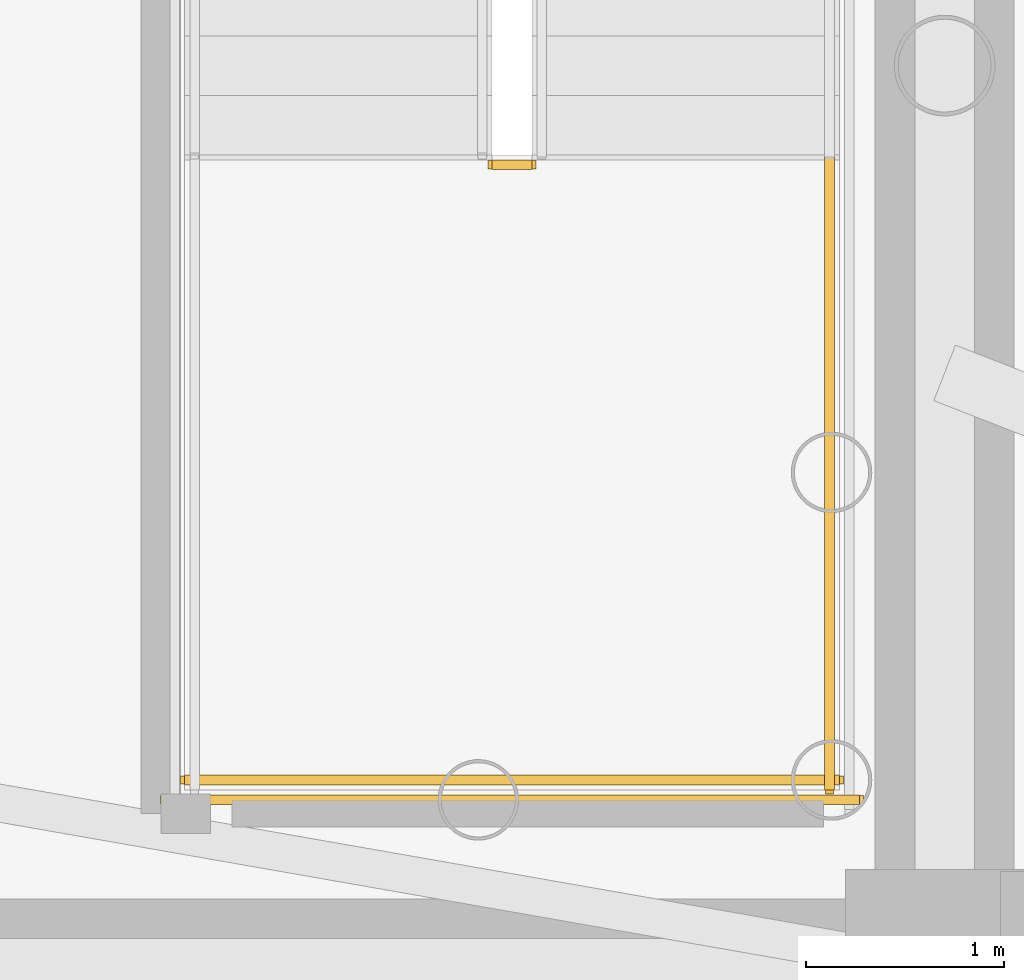
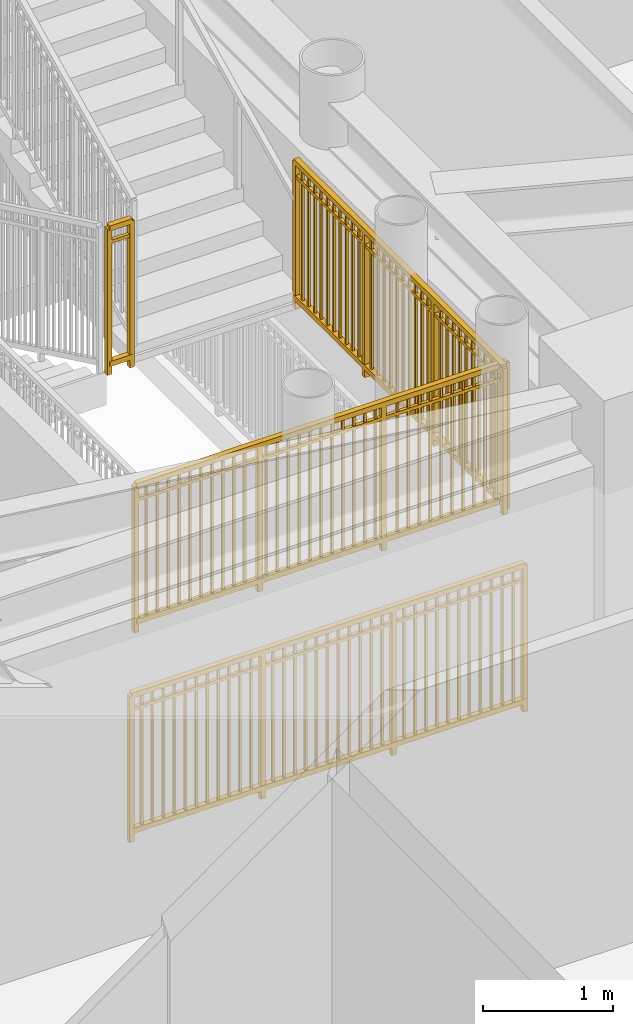
# One storey, part 12 of 17: 4 railings.
"""IFC4 building model written with IfcOpenShell, lengths in metres."""

from ifc_helpers import new_model, si_unit, direction, frame, origin, origin_2d, place, context, subcontext, project, spatial, rectangle, extrude, source, transform, mapped, material, type_object, element, save


model = new_model("IFC4")

# Units and contexts
model_context = context("Model", 3, precision=1e-05, world=origin(), true_north=direction((0.0, 1.0)))
body_context = subcontext(model_context, "Body", "Model", "MODEL_VIEW")
ifc_project = project(units=[si_unit("LENGTHUNIT", "METRE"), si_unit("AREAUNIT", "SQUARE_METRE"), si_unit("VOLUMEUNIT", "CUBIC_METRE"), si_unit("PLANEANGLEUNIT", "RADIAN"), si_unit("MASSUNIT", "GRAM", prefix="KILO")], contexts=[model_context])

# Site, building, storey
site_placement = place(None, origin())
site = spatial("IfcSite", under=ifc_project, at=site_placement, CompositionType="ELEMENT")
building_placement = place(site_placement, origin())
building = spatial("IfcBuilding", under=site, at=building_placement, Name="Linh Dai School and Residence Tower", CompositionType="ELEMENT")
storey_placement = place(building_placement, frame((0.0, 0.0, 280.5)))
storey = spatial("IfcBuildingStorey", under=building, at=storey_placement, Name="L69", CompositionType="ELEMENT", Elevation=280.5)

# Railings
ifc_material = material(Name="Structural Steel S355JR", Category="steel")
railing_type = type_object("IfcRailingType", Name="RL-ST-GUARD-1400", PredefinedType="GUARDRAIL", material=ifc_material)
shared_shape_1 = source(origin(), body_context, "Body", "SweptSolid", [
    extrude(rectangle(XDim=0.048095703125, YDim=0.048095703125, at=origin_2d()), frame((0.0, 0.0, 1.3759765625), z_axis=(1.0, 0.0, 0.0), x_axis=(0.0, 1.0, 0.0)), (0.0, 0.0, 1.0), 0.199951171875),
    extrude(rectangle(XDim=0.048095703125, YDim=0.048095703125, at=origin_2d()), frame((0.0, 0.0, 0.10009765625), z_axis=(1.0, 0.0, 0.0), x_axis=(0.0, 1.0, 0.0)), (0.0, 0.0, 1.0), 0.199951171875),
    extrude(rectangle(XDim=0.030029296875, YDim=0.030029296875, at=origin_2d()), frame((0.0, 0.0, 1.239990234375), z_axis=(1.0, 0.0, 0.0), x_axis=(0.0, 1.0, 0.0)), (0.0, 0.0, 1.0), 0.199951171875),
    extrude(rectangle(XDim=0.0419921875, YDim=0.0419921875, at=origin_2d()), origin(), (0.0, 0.0, 1.0), 1.3759765625),
    extrude(rectangle(XDim=0.0419921875, YDim=0.0419921875, at=origin_2d()), frame((0.199951171875, 0.0, 0.0)), (0.0, 0.0, 1.0), 1.3759765625),
])
railing_1_placement = place(storey_placement, frame((42.570068359375, 24.60009765625, 1.875)))
element("IfcRailing", 1, at=railing_1_placement, inside=storey, type_object=railing_type, Name="L69 ST2 stair guard 2", PredefinedType="GUARDRAIL", context=body_context, shape_type="MappedRepresentation", body=[
    mapped(shared_shape_1, transform((0.0, 0.0, 0.0), x_axis=(1.0, 0.0, 0.0), y_axis=(0.0, 1.0, 0.0), z_axis=(0.0, 0.0, 1.0), scale=1.0)),
])
shared_shape_2 = source(origin(), body_context, "Body", "SweptSolid", [
    extrude(rectangle(XDim=0.048095703125, YDim=0.048095703125, at=origin_2d()), frame((0.0, 0.0, 1.3759765625), z_axis=(1.0, 0.0, 0.0), x_axis=(0.0, 1.0, 0.0)), (0.0, 0.0, 1.0), 3.300048828125),
    extrude(rectangle(XDim=0.048095703125, YDim=0.048095703125, at=origin_2d()), frame((0.0, 0.0, 0.10009765625), z_axis=(1.0, 0.0, 0.0), x_axis=(0.0, 1.0, 0.0)), (0.0, 0.0, 1.0), 3.300048828125),
    extrude(rectangle(XDim=0.030029296875, YDim=0.030029296875, at=origin_2d()), frame((0.0, 0.0, 1.239990234375), z_axis=(1.0, 0.0, 0.0), x_axis=(0.0, 1.0, 0.0)), (0.0, 0.0, 1.0), 3.300048828125),
    extrude(rectangle(XDim=0.02001953125, YDim=0.02001953125, at=origin_2d()), frame((0.09716796875, 0.0, 0.10009765625)), (0.0, 0.0, 1.0), 1.251708984375),
    extrude(rectangle(XDim=0.02001953125, YDim=0.02001953125, at=origin_2d()), frame((0.194091796875, 0.0, 0.10009765625)), (0.0, 0.0, 1.0), 1.251708984375),
    extrude(rectangle(XDim=0.02001953125, YDim=0.02001953125, at=origin_2d()), frame((0.291259765625, 0.0, 0.10009765625)), (0.0, 0.0, 1.0), 1.251708984375),
    extrude(rectangle(XDim=0.02001953125, YDim=0.02001953125, at=origin_2d()), frame((0.38818359375, 0.0, 0.10009765625)), (0.0, 0.0, 1.0), 1.251708984375),
    extrude(rectangle(XDim=0.02001953125, YDim=0.02001953125, at=origin_2d()), frame((0.4853515625, 0.0, 0.10009765625)), (0.0, 0.0, 1.0), 1.251708984375),
    extrude(rectangle(XDim=0.02001953125, YDim=0.02001953125, at=origin_2d()), frame((0.582275390625, 0.0, 0.10009765625)), (0.0, 0.0, 1.0), 1.251708984375),
    extrude(rectangle(XDim=0.02001953125, YDim=0.02001953125, at=origin_2d()), frame((0.679443359375, 0.0, 0.10009765625)), (0.0, 0.0, 1.0), 1.251708984375),
    extrude(rectangle(XDim=0.02001953125, YDim=0.02001953125, at=origin_2d()), frame((0.7763671875, 0.0, 0.10009765625)), (0.0, 0.0, 1.0), 1.251708984375),
    extrude(rectangle(XDim=0.02001953125, YDim=0.02001953125, at=origin_2d()), frame((0.87353515625, 0.0, 0.10009765625)), (0.0, 0.0, 1.0), 1.251708984375),
    extrude(rectangle(XDim=0.02001953125, YDim=0.02001953125, at=origin_2d()), frame((0.970703125, 0.0, 0.10009765625)), (0.0, 0.0, 1.0), 1.251708984375),
    extrude(rectangle(XDim=0.02001953125, YDim=0.02001953125, at=origin_2d()), frame((1.164794921875, 0.0, 0.10009765625)), (0.0, 0.0, 1.0), 1.251708984375),
    extrude(rectangle(XDim=0.02001953125, YDim=0.02001953125, at=origin_2d()), frame((1.26171875, 0.0, 0.10009765625)), (0.0, 0.0, 1.0), 1.251708984375),
    extrude(rectangle(XDim=0.02001953125, YDim=0.02001953125, at=origin_2d()), frame((1.35888671875, 0.0, 0.10009765625)), (0.0, 0.0, 1.0), 1.251708984375),
    extrude(rectangle(XDim=0.02001953125, YDim=0.02001953125, at=origin_2d()), frame((1.455810546875, 0.0, 0.10009765625)), (0.0, 0.0, 1.0), 1.251708984375),
    extrude(rectangle(XDim=0.02001953125, YDim=0.02001953125, at=origin_2d()), frame((1.552978515625, 0.0, 0.10009765625)), (0.0, 0.0, 1.0), 1.251708984375),
    extrude(rectangle(XDim=0.02001953125, YDim=0.02001953125, at=origin_2d()), frame((1.64990234375, 0.0, 0.10009765625)), (0.0, 0.0, 1.0), 1.251708984375),
    extrude(rectangle(XDim=0.02001953125, YDim=0.02001953125, at=origin_2d()), frame((1.7470703125, 0.0, 0.10009765625)), (0.0, 0.0, 1.0), 1.251708984375),
    extrude(rectangle(XDim=0.02001953125, YDim=0.02001953125, at=origin_2d()), frame((1.84423828125, 0.0, 0.10009765625)), (0.0, 0.0, 1.0), 1.251708984375),
    extrude(rectangle(XDim=0.02001953125, YDim=0.02001953125, at=origin_2d()), frame((1.941162109375, 0.0, 0.10009765625)), (0.0, 0.0, 1.0), 1.251708984375),
    extrude(rectangle(XDim=0.02001953125, YDim=0.02001953125, at=origin_2d()), frame((2.038330078125, 0.0, 0.10009765625)), (0.0, 0.0, 1.0), 1.251708984375),
    extrude(rectangle(XDim=0.02001953125, YDim=0.02001953125, at=origin_2d()), frame((2.13525390625, 0.0, 0.10009765625)), (0.0, 0.0, 1.0), 1.251708984375),
    extrude(rectangle(XDim=0.02001953125, YDim=0.02001953125, at=origin_2d()), frame((2.329345703125, 0.0, 0.10009765625)), (0.0, 0.0, 1.0), 1.251708984375),
    extrude(rectangle(XDim=0.02001953125, YDim=0.02001953125, at=origin_2d()), frame((2.426513671875, 0.0, 0.10009765625)), (0.0, 0.0, 1.0), 1.251708984375),
    extrude(rectangle(XDim=0.02001953125, YDim=0.02001953125, at=origin_2d()), frame((2.523681640625, 0.0, 0.10009765625)), (0.0, 0.0, 1.0), 1.251708984375),
    extrude(rectangle(XDim=0.02001953125, YDim=0.02001953125, at=origin_2d()), frame((2.62060546875, 0.0, 0.10009765625)), (0.0, 0.0, 1.0), 1.251708984375),
    extrude(rectangle(XDim=0.02001953125, YDim=0.02001953125, at=origin_2d()), frame((2.7177734375, 0.0, 0.10009765625)), (0.0, 0.0, 1.0), 1.251708984375),
    extrude(rectangle(XDim=0.02001953125, YDim=0.02001953125, at=origin_2d()), frame((2.814697265625, 0.0, 0.10009765625)), (0.0, 0.0, 1.0), 1.251708984375),
    extrude(rectangle(XDim=0.02001953125, YDim=0.02001953125, at=origin_2d()), frame((2.911865234375, 0.0, 0.10009765625)), (0.0, 0.0, 1.0), 1.251708984375),
    extrude(rectangle(XDim=0.02001953125, YDim=0.02001953125, at=origin_2d()), frame((3.0087890625, 0.0, 0.10009765625)), (0.0, 0.0, 1.0), 1.251708984375),
    extrude(rectangle(XDim=0.02001953125, YDim=0.02001953125, at=origin_2d()), frame((3.10595703125, 0.0, 0.10009765625)), (0.0, 0.0, 1.0), 1.251708984375),
    extrude(rectangle(XDim=0.02001953125, YDim=0.02001953125, at=origin_2d()), frame((3.202880859375, 0.0, 0.10009765625)), (0.0, 0.0, 1.0), 1.251708984375),
    extrude(rectangle(XDim=0.0419921875, YDim=0.0419921875, at=origin_2d()), origin(), (0.0, 0.0, 1.0), 1.3759765625),
    extrude(rectangle(XDim=0.0419921875, YDim=0.0419921875, at=origin_2d()), frame((1.10009765625, 0.0, 0.0)), (0.0, 0.0, 1.0), 1.3759765625),
    extrude(rectangle(XDim=0.0419921875, YDim=0.0419921875, at=origin_2d()), frame((2.199951171875, 0.0, 0.0)), (0.0, 0.0, 1.0), 1.3759765625),
    extrude(rectangle(XDim=0.0419921875, YDim=0.0419921875, at=origin_2d()), frame((3.300048828125, 0.0, 0.0)), (0.0, 0.0, 1.0), 1.3759765625),
])
railing_2_placement = place(storey_placement, frame((41.02001953125, 21.5, 1.875)))
element("IfcRailing", 2, at=railing_2_placement, inside=storey, type_object=railing_type, Name="L69 ST2 stair guard 5", PredefinedType="GUARDRAIL", context=body_context, shape_type="MappedRepresentation", body=[
    mapped(shared_shape_2, transform((0.0, 0.0, 0.0), x_axis=(1.0, 0.0, 0.0), y_axis=(0.0, 1.0, 0.0), z_axis=(0.0, 0.0, 1.0), scale=1.0)),
])
shared_shape_3 = source(origin(), body_context, "Body", "SweptSolid", [
    extrude(rectangle(XDim=0.048095703125, YDim=0.048095703125, at=origin_2d()), frame((0.0, 0.0, 1.3759765625), z_axis=(1.0, 0.0, 0.0), x_axis=(0.0, 1.0, 0.0)), (0.0, 0.0, 1.0), 3.5),
    extrude(rectangle(XDim=0.048095703125, YDim=0.048095703125, at=origin_2d()), frame((0.0, 0.0, 0.10009765625), z_axis=(1.0, 0.0, 0.0), x_axis=(0.0, 1.0, 0.0)), (0.0, 0.0, 1.0), 3.5),
    extrude(rectangle(XDim=0.030029296875, YDim=0.030029296875, at=origin_2d()), frame((0.0, 0.0, 1.239990234375), z_axis=(1.0, 0.0, 0.0), x_axis=(0.0, 1.0, 0.0)), (0.0, 0.0, 1.0), 3.5),
    extrude(rectangle(XDim=0.02001953125, YDim=0.02001953125, at=origin_2d()), frame((0.09716796875, 0.0, 0.10009765625)), (0.0, 0.0, 1.0), 1.251708984375),
    extrude(rectangle(XDim=0.02001953125, YDim=0.02001953125, at=origin_2d()), frame((0.1943359375, 0.0, 0.10009765625)), (0.0, 0.0, 1.0), 1.251708984375),
    extrude(rectangle(XDim=0.02001953125, YDim=0.02001953125, at=origin_2d()), frame((0.291748046875, 0.0, 0.10009765625)), (0.0, 0.0, 1.0), 1.251708984375),
    extrude(rectangle(XDim=0.02001953125, YDim=0.02001953125, at=origin_2d()), frame((0.388916015625, 0.0, 0.10009765625)), (0.0, 0.0, 1.0), 1.251708984375),
    extrude(rectangle(XDim=0.02001953125, YDim=0.02001953125, at=origin_2d()), frame((0.486083984375, 0.0, 0.10009765625)), (0.0, 0.0, 1.0), 1.251708984375),
    extrude(rectangle(XDim=0.02001953125, YDim=0.02001953125, at=origin_2d()), frame((0.583251953125, 0.0, 0.10009765625)), (0.0, 0.0, 1.0), 1.251708984375),
    extrude(rectangle(XDim=0.02001953125, YDim=0.02001953125, at=origin_2d()), frame((0.6806640625, 0.0, 0.10009765625)), (0.0, 0.0, 1.0), 1.251708984375),
    extrude(rectangle(XDim=0.02001953125, YDim=0.02001953125, at=origin_2d()), frame((0.77783203125, 0.0, 0.10009765625)), (0.0, 0.0, 1.0), 1.251708984375),
    extrude(rectangle(XDim=0.02001953125, YDim=0.02001953125, at=origin_2d()), frame((0.875, 0.0, 0.10009765625)), (0.0, 0.0, 1.0), 1.251708984375),
    extrude(rectangle(XDim=0.02001953125, YDim=0.02001953125, at=origin_2d()), frame((0.97216796875, 0.0, 0.10009765625)), (0.0, 0.0, 1.0), 1.251708984375),
    extrude(rectangle(XDim=0.02001953125, YDim=0.02001953125, at=origin_2d()), frame((1.0693359375, 0.0, 0.10009765625)), (0.0, 0.0, 1.0), 1.251708984375),
    extrude(rectangle(XDim=0.02001953125, YDim=0.02001953125, at=origin_2d()), frame((1.263916015625, 0.0, 0.10009765625)), (0.0, 0.0, 1.0), 1.251708984375),
    extrude(rectangle(XDim=0.02001953125, YDim=0.02001953125, at=origin_2d()), frame((1.361083984375, 0.0, 0.10009765625)), (0.0, 0.0, 1.0), 1.251708984375),
    extrude(rectangle(XDim=0.02001953125, YDim=0.02001953125, at=origin_2d()), frame((1.458251953125, 0.0, 0.10009765625)), (0.0, 0.0, 1.0), 1.251708984375),
    extrude(rectangle(XDim=0.02001953125, YDim=0.02001953125, at=origin_2d()), frame((1.5556640625, 0.0, 0.10009765625)), (0.0, 0.0, 1.0), 1.251708984375),
    extrude(rectangle(XDim=0.02001953125, YDim=0.02001953125, at=origin_2d()), frame((1.65283203125, 0.0, 0.10009765625)), (0.0, 0.0, 1.0), 1.251708984375),
    extrude(rectangle(XDim=0.02001953125, YDim=0.02001953125, at=origin_2d()), frame((1.75, 0.0, 0.10009765625)), (0.0, 0.0, 1.0), 1.251708984375),
    extrude(rectangle(XDim=0.02001953125, YDim=0.02001953125, at=origin_2d()), frame((1.84716796875, 0.0, 0.10009765625)), (0.0, 0.0, 1.0), 1.251708984375),
    extrude(rectangle(XDim=0.02001953125, YDim=0.02001953125, at=origin_2d()), frame((1.9443359375, 0.0, 0.10009765625)), (0.0, 0.0, 1.0), 1.251708984375),
    extrude(rectangle(XDim=0.02001953125, YDim=0.02001953125, at=origin_2d()), frame((2.041748046875, 0.0, 0.10009765625)), (0.0, 0.0, 1.0), 1.251708984375),
    extrude(rectangle(XDim=0.02001953125, YDim=0.02001953125, at=origin_2d()), frame((2.138916015625, 0.0, 0.10009765625)), (0.0, 0.0, 1.0), 1.251708984375),
    extrude(rectangle(XDim=0.02001953125, YDim=0.02001953125, at=origin_2d()), frame((2.236083984375, 0.0, 0.10009765625)), (0.0, 0.0, 1.0), 1.251708984375),
    extrude(rectangle(XDim=0.02001953125, YDim=0.02001953125, at=origin_2d()), frame((2.4306640625, 0.0, 0.10009765625)), (0.0, 0.0, 1.0), 1.251708984375),
    extrude(rectangle(XDim=0.02001953125, YDim=0.02001953125, at=origin_2d()), frame((2.52783203125, 0.0, 0.10009765625)), (0.0, 0.0, 1.0), 1.251708984375),
    extrude(rectangle(XDim=0.02001953125, YDim=0.02001953125, at=origin_2d()), frame((2.625, 0.0, 0.10009765625)), (0.0, 0.0, 1.0), 1.251708984375),
    extrude(rectangle(XDim=0.02001953125, YDim=0.02001953125, at=origin_2d()), frame((2.72216796875, 0.0, 0.10009765625)), (0.0, 0.0, 1.0), 1.251708984375),
    extrude(rectangle(XDim=0.02001953125, YDim=0.02001953125, at=origin_2d()), frame((2.8193359375, 0.0, 0.10009765625)), (0.0, 0.0, 1.0), 1.251708984375),
    extrude(rectangle(XDim=0.02001953125, YDim=0.02001953125, at=origin_2d()), frame((2.916748046875, 0.0, 0.10009765625)), (0.0, 0.0, 1.0), 1.251708984375),
    extrude(rectangle(XDim=0.02001953125, YDim=0.02001953125, at=origin_2d()), frame((3.013916015625, 0.0, 0.10009765625)), (0.0, 0.0, 1.0), 1.251708984375),
    extrude(rectangle(XDim=0.02001953125, YDim=0.02001953125, at=origin_2d()), frame((3.111083984375, 0.0, 0.10009765625)), (0.0, 0.0, 1.0), 1.251708984375),
    extrude(rectangle(XDim=0.02001953125, YDim=0.02001953125, at=origin_2d()), frame((3.208251953125, 0.0, 0.10009765625)), (0.0, 0.0, 1.0), 1.251708984375),
    extrude(rectangle(XDim=0.02001953125, YDim=0.02001953125, at=origin_2d()), frame((3.3056640625, 0.0, 0.10009765625)), (0.0, 0.0, 1.0), 1.251708984375),
    extrude(rectangle(XDim=0.02001953125, YDim=0.02001953125, at=origin_2d()), frame((3.40283203125, 0.0, 0.10009765625)), (0.0, 0.0, 1.0), 1.251708984375),
    extrude(rectangle(XDim=0.0419921875, YDim=0.0419921875, at=origin_2d()), origin(), (0.0, 0.0, 1.0), 1.3759765625),
    extrude(rectangle(XDim=0.0419921875, YDim=0.0419921875, at=origin_2d()), frame((1.166748046875, 0.0, 0.0)), (0.0, 0.0, 1.0), 1.3759765625),
    extrude(rectangle(XDim=0.0419921875, YDim=0.0419921875, at=origin_2d()), frame((2.333251953125, 0.0, 0.0)), (0.0, 0.0, 1.0), 1.3759765625),
    extrude(rectangle(XDim=0.0419921875, YDim=0.0419921875, at=origin_2d()), frame((3.5, 0.0, 0.0)), (0.0, 0.0, 1.0), 1.3759765625),
])
railing_3_placement = place(storey_placement, frame((40.919921875, 21.39990234375, 0.0)))
element("IfcRailing", 3, at=railing_3_placement, inside=storey, type_object=railing_type, Name="L69 ST2 stair guard 12", PredefinedType="GUARDRAIL", context=body_context, shape_type="MappedRepresentation", body=[
    mapped(shared_shape_3, transform((0.0, 0.0, 0.0), x_axis=(1.0, 0.0, 0.0), y_axis=(0.0, 1.0, 0.0), z_axis=(0.0, 0.0, 1.0), scale=1.0)),
])
shared_shape_4 = source(origin(), body_context, "Body", "SweptSolid", [
    extrude(rectangle(XDim=0.048095703125, YDim=0.048095703125, at=origin_2d()), frame((0.0, 0.0, 1.3759765625), z_axis=(0.0, -1.0, 0.0), x_axis=(1.0, 0.0, 0.0)), (0.0, 0.0, 1.0), 3.199951171875),
    extrude(rectangle(XDim=0.048095703125, YDim=0.048095703125, at=origin_2d()), frame((0.0, 0.0, 0.10009765625), z_axis=(0.0, -1.0, 0.0), x_axis=(1.0, 0.0, 0.0)), (0.0, 0.0, 1.0), 3.199951171875),
    extrude(rectangle(XDim=0.030029296875, YDim=0.030029296875, at=origin_2d()), frame((0.0, 0.0, 1.239990234375), z_axis=(0.0, -1.0, 0.0), x_axis=(1.0, 0.0, 0.0)), (0.0, 0.0, 1.0), 3.199951171875),
    extrude(rectangle(XDim=0.02001953125, YDim=0.02001953125, at=origin_2d()), frame((0.0, -0.096923828125, 0.10009765625)), (0.0, 0.0, 1.0), 1.251708984375),
    extrude(rectangle(XDim=0.02001953125, YDim=0.02001953125, at=origin_2d()), frame((0.0, -0.19384765625, 0.10009765625)), (0.0, 0.0, 1.0), 1.251708984375),
    extrude(rectangle(XDim=0.02001953125, YDim=0.02001953125, at=origin_2d()), frame((0.0, -0.291015625, 0.10009765625)), (0.0, 0.0, 1.0), 1.251708984375),
    extrude(rectangle(XDim=0.02001953125, YDim=0.02001953125, at=origin_2d()), frame((0.0, -0.387939453125, 0.10009765625)), (0.0, 0.0, 1.0), 1.251708984375),
    extrude(rectangle(XDim=0.02001953125, YDim=0.02001953125, at=origin_2d()), frame((0.0, -0.48486328125, 0.10009765625)), (0.0, 0.0, 1.0), 1.251708984375),
    extrude(rectangle(XDim=0.02001953125, YDim=0.02001953125, at=origin_2d()), frame((0.0, -0.581787109375, 0.10009765625)), (0.0, 0.0, 1.0), 1.251708984375),
    extrude(rectangle(XDim=0.02001953125, YDim=0.02001953125, at=origin_2d()), frame((0.0, -0.6787109375, 0.10009765625)), (0.0, 0.0, 1.0), 1.251708984375),
    extrude(rectangle(XDim=0.02001953125, YDim=0.02001953125, at=origin_2d()), frame((0.0, -0.775634765625, 0.10009765625)), (0.0, 0.0, 1.0), 1.251708984375),
    extrude(rectangle(XDim=0.02001953125, YDim=0.02001953125, at=origin_2d()), frame((0.0, -0.872802734375, 0.10009765625)), (0.0, 0.0, 1.0), 1.251708984375),
    extrude(rectangle(XDim=0.02001953125, YDim=0.02001953125, at=origin_2d()), frame((0.0, -0.9697265625, 0.10009765625)), (0.0, 0.0, 1.0), 1.251708984375),
    extrude(rectangle(XDim=0.02001953125, YDim=0.02001953125, at=origin_2d()), frame((0.0, -1.16357421875, 0.10009765625)), (0.0, 0.0, 1.0), 1.251708984375),
    extrude(rectangle(XDim=0.02001953125, YDim=0.02001953125, at=origin_2d()), frame((0.0, -1.260498046875, 0.10009765625)), (0.0, 0.0, 1.0), 1.251708984375),
    extrude(rectangle(XDim=0.02001953125, YDim=0.02001953125, at=origin_2d()), frame((0.0, -1.357666015625, 0.10009765625)), (0.0, 0.0, 1.0), 1.251708984375),
    extrude(rectangle(XDim=0.02001953125, YDim=0.02001953125, at=origin_2d()), frame((0.0, -1.45458984375, 0.10009765625)), (0.0, 0.0, 1.0), 1.251708984375),
    extrude(rectangle(XDim=0.02001953125, YDim=0.02001953125, at=origin_2d()), frame((0.0, -1.551513671875, 0.10009765625)), (0.0, 0.0, 1.0), 1.251708984375),
    extrude(rectangle(XDim=0.02001953125, YDim=0.02001953125, at=origin_2d()), frame((0.0, -1.6484375, 0.10009765625)), (0.0, 0.0, 1.0), 1.251708984375),
    extrude(rectangle(XDim=0.02001953125, YDim=0.02001953125, at=origin_2d()), frame((0.0, -1.745361328125, 0.10009765625)), (0.0, 0.0, 1.0), 1.251708984375),
    extrude(rectangle(XDim=0.02001953125, YDim=0.02001953125, at=origin_2d()), frame((0.0, -1.84228515625, 0.10009765625)), (0.0, 0.0, 1.0), 1.251708984375),
    extrude(rectangle(XDim=0.02001953125, YDim=0.02001953125, at=origin_2d()), frame((0.0, -1.939453125, 0.10009765625)), (0.0, 0.0, 1.0), 1.251708984375),
    extrude(rectangle(XDim=0.02001953125, YDim=0.02001953125, at=origin_2d()), frame((0.0, -2.036376953125, 0.10009765625)), (0.0, 0.0, 1.0), 1.251708984375),
    extrude(rectangle(XDim=0.02001953125, YDim=0.02001953125, at=origin_2d()), frame((0.0, -2.230224609375, 0.10009765625)), (0.0, 0.0, 1.0), 1.251708984375),
    extrude(rectangle(XDim=0.02001953125, YDim=0.02001953125, at=origin_2d()), frame((0.0, -2.3271484375, 0.10009765625)), (0.0, 0.0, 1.0), 1.251708984375),
    extrude(rectangle(XDim=0.02001953125, YDim=0.02001953125, at=origin_2d()), frame((0.0, -2.42431640625, 0.10009765625)), (0.0, 0.0, 1.0), 1.251708984375),
    extrude(rectangle(XDim=0.02001953125, YDim=0.02001953125, at=origin_2d()), frame((0.0, -2.521240234375, 0.10009765625)), (0.0, 0.0, 1.0), 1.251708984375),
    extrude(rectangle(XDim=0.02001953125, YDim=0.02001953125, at=origin_2d()), frame((0.0, -2.6181640625, 0.10009765625)), (0.0, 0.0, 1.0), 1.251708984375),
    extrude(rectangle(XDim=0.02001953125, YDim=0.02001953125, at=origin_2d()), frame((0.0, -2.715087890625, 0.10009765625)), (0.0, 0.0, 1.0), 1.251708984375),
    extrude(rectangle(XDim=0.02001953125, YDim=0.02001953125, at=origin_2d()), frame((0.0, -2.81201171875, 0.10009765625)), (0.0, 0.0, 1.0), 1.251708984375),
    extrude(rectangle(XDim=0.02001953125, YDim=0.02001953125, at=origin_2d()), frame((0.0, -2.908935546875, 0.10009765625)), (0.0, 0.0, 1.0), 1.251708984375),
    extrude(rectangle(XDim=0.02001953125, YDim=0.02001953125, at=origin_2d()), frame((0.0, -3.006103515625, 0.10009765625)), (0.0, 0.0, 1.0), 1.251708984375),
    extrude(rectangle(XDim=0.02001953125, YDim=0.02001953125, at=origin_2d()), frame((0.0, -3.10302734375, 0.10009765625)), (0.0, 0.0, 1.0), 1.251708984375),
    extrude(rectangle(XDim=0.0419921875, YDim=0.0419921875, at=origin_2d()), origin(), (0.0, 0.0, 1.0), 1.3759765625),
    extrude(rectangle(XDim=0.0419921875, YDim=0.0419921875, at=origin_2d()), frame((0.0, -1.066650390625, 0.0)), (0.0, 0.0, 1.0), 1.3759765625),
    extrude(rectangle(XDim=0.0419921875, YDim=0.0419921875, at=origin_2d()), frame((0.0, -2.13330078125, 0.0)), (0.0, 0.0, 1.0), 1.3759765625),
    extrude(rectangle(XDim=0.0419921875, YDim=0.0419921875, at=origin_2d()), frame((0.0, -3.199951171875, 0.0)), (0.0, 0.0, 1.0), 1.3759765625),
])
railing_4_placement = place(storey_placement, frame((44.27001953125, 24.64990234375, 1.875)))
element("IfcRailing", 4, at=railing_4_placement, inside=storey, type_object=railing_type, Name="L69 ST2 stair guard 4", PredefinedType="GUARDRAIL", context=body_context, shape_type="MappedRepresentation", body=[
    mapped(shared_shape_4, transform((0.0, 0.0, 0.0), x_axis=(1.0, 0.0, 0.0), y_axis=(0.0, 1.0, 0.0), z_axis=(0.0, 0.0, 1.0), scale=1.0)),
])

save(model, "model.ifc")
